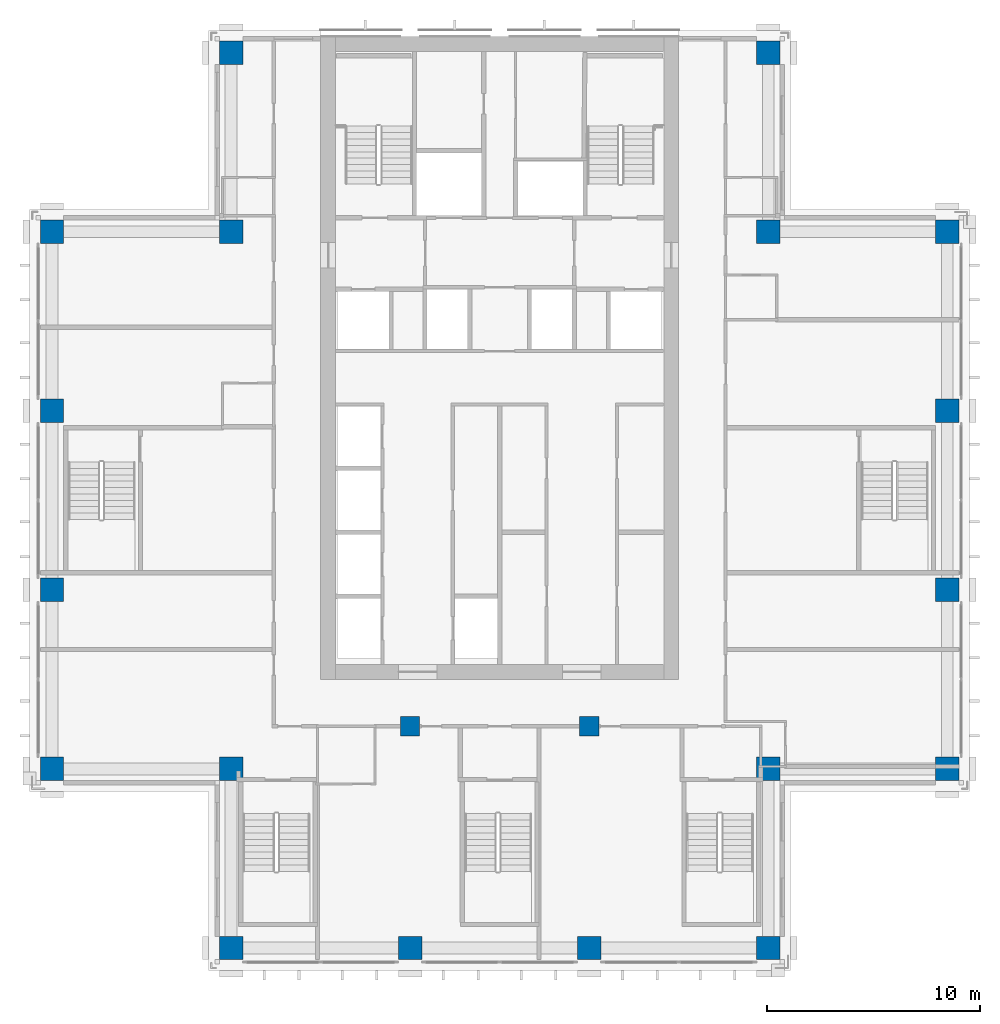
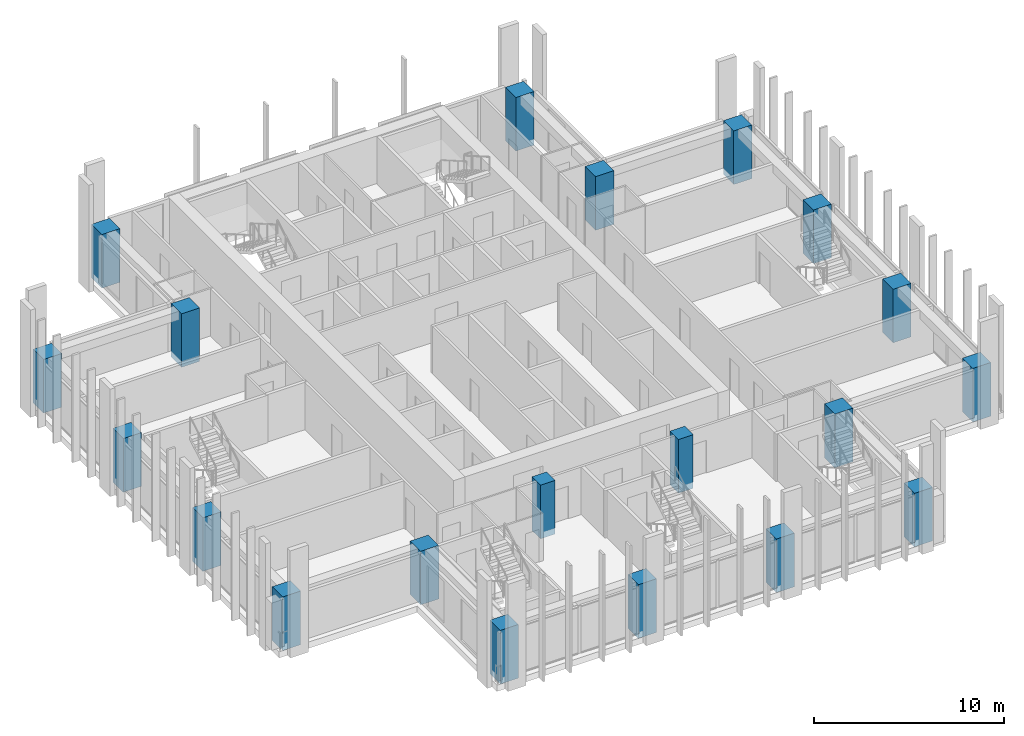
# One storey, part 1 of 16: 20 columns.
"""IFC4 building model written with IfcOpenShell, lengths in metres."""

from ifc_helpers import new_model, si_unit, direction, frame, origin, origin_2d, place, context, subcontext, project, spatial, rectangle, extrude, material, material_profile, profile_set, type_object, element, save


model = new_model("IFC4")

# Units and contexts
model_context = context("Model", 3, precision=1e-05, world=origin(), true_north=direction((0.0, 1.0)))
body_context = subcontext(model_context, "Body", "Model", "MODEL_VIEW")
ifc_project = project(units=[si_unit("LENGTHUNIT", "METRE"), si_unit("AREAUNIT", "SQUARE_METRE"), si_unit("VOLUMEUNIT", "CUBIC_METRE"), si_unit("PLANEANGLEUNIT", "RADIAN"), si_unit("MASSUNIT", "GRAM", prefix="KILO")], contexts=[model_context])

# Site, building, storey
site_placement = place(None, origin())
site = spatial("IfcSite", under=ifc_project, at=site_placement, CompositionType="ELEMENT")
building_placement = place(site_placement, origin())
building = spatial("IfcBuilding", under=site, at=building_placement, Name="Vermilion Ogive Tower", CompositionType="ELEMENT")
storey_placement = place(building_placement, frame((0.0, 0.0, 143.449951171875)))
storey = spatial("IfcBuildingStorey", under=building, at=storey_placement, Name="L36", CompositionType="ELEMENT", Elevation=143.449951171875)

# Columns
ifc_material_1 = material(Name="Concrete B60", Category="concrete")
ifc_material_profile_1 = material_profile(ifc_material_1, rectangle(XDim=1.10009765625, YDim=1.10009765625, at=origin_2d()), Name="1100 x 1100")
ifc_profile_set_1 = profile_set([ifc_material_profile_1], Name="Concrete B60")
column_type_1 = type_object("IfcColumnType", Name="Perimeter column 1100 x 1100 B60", PredefinedType="COLUMN", material=ifc_profile_set_1)
for number, where, z_axis, x_axis, name in (
    (1, (-12.60009765625, -21.0, -0.39990234375), (0.0, 0.0, 1.0), (1.0, 0.0, 0.0), "COL-L36-P-0126-210"),
    (2, (-4.199951171875, -21.0, -0.39990234375), (0.0, 0.0, 1.0), (1.0, 0.0, 0.0), "COL-L36-P-0042-210"),
    (3, (4.199951171875, -21.0, -0.39990234375), (0.0, 0.0, 1.0), (1.0, 0.0, 0.0), "COL-L36-P+0042-210"),
    (4, (12.60009765625, -21.0, -0.39990234375), (0.0, 0.0, 1.0), (1.0, 0.0, 0.0), "COL-L36-P+0126-210"),
    (5, (-21.0, -12.60009765625, -0.39990234375), (0.0, 0.0, 1.0), (1.0, 0.0, 0.0), "COL-L36-P-0210-126"),
    (6, (-12.60009765625, -12.60009765625, -0.39990234375), (0.0, 0.0, 1.0), (1.0, 0.0, 0.0), "COL-L36-P-0126-126"),
    (7, (12.60009765625, -12.60009765625, -0.39990234375), (0.0, 0.0, 1.0), (1.0, 0.0, 0.0), "COL-L36-P+0126-126"),
    (8, (21.0, -12.60009765625, -0.39990234375), (0.0, 0.0, 1.0), (1.0, 0.0, 0.0), "COL-L36-P+0210-126"),
    (9, (-21.0, -4.199951171875, -0.39990234375), (0.0, 0.0, 1.0), (1.0, 0.0, 0.0), "COL-L36-P-0210-042"),
    (10, (21.0, -4.199951171875, -0.39990234375), (0.0, 0.0, 1.0), (1.0, 0.0, 0.0), "COL-L36-P+0210-042"),
    (11, (-21.0, 4.199951171875, -0.39990234375), (0.0, 0.0, 1.0), (1.0, 0.0, 0.0), "COL-L36-P-0210+042"),
    (12, (21.0, 4.199951171875, -0.39990234375), (0.0, 0.0, 1.0), (1.0, 0.0, 0.0), "COL-L36-P+0210+042"),
    (13, (-21.0, 12.60009765625, -0.39990234375), (0.0, 0.0, 1.0), (1.0, 0.0, 0.0), "COL-L36-P-0210+126"),
    (14, (-12.60009765625, 12.60009765625, -0.39990234375), (0.0, 0.0, 1.0), (1.0, 0.0, 0.0), "COL-L36-P-0126+126"),
    (15, (12.60009765625, 12.60009765625, -0.39990234375), (0.0, 0.0, 1.0), (1.0, 0.0, 0.0), "COL-L36-P+0126+126"),
    (16, (21.0, 12.60009765625, -0.39990234375), (0.0, 0.0, 1.0), (1.0, 0.0, 0.0), "COL-L36-P+0210+126"),
    (17, (-12.60009765625, 21.0, -0.39990234375), (0.0, 0.0, 1.0), (1.0, 0.0, 0.0), "COL-L36-P-0126+210"),
    (18, (12.60009765625, 21.0, -0.39990234375), (0.0, 0.0, 1.0), (1.0, 0.0, 0.0), "COL-L36-P+0126+210"),
):
    element("IfcColumn", number, at=place(storey_placement, frame(where, z_axis=z_axis, x_axis=x_axis)), inside=storey, type_object=column_type_1, Name=name, PredefinedType="COLUMN", context=body_context, shape_type="SweptSolid", body=[
        extrude(rectangle(XDim=1.10009765625, YDim=1.10009765625, at=origin_2d()), origin(), (0.0, 0.0, 1.0), 3.449951171875),
    ])
ifc_material_2 = material(Name="Concrete B60", Category="concrete")
ifc_material_profile_2 = material_profile(ifc_material_2, rectangle(XDim=0.89990234375, YDim=0.89990234375, at=origin_2d()), Name="900 x 900")
ifc_profile_set_2 = profile_set([ifc_material_profile_2], Name="Concrete B60")
column_type_2 = type_object("IfcColumnType", Name="Ring column 900 x 900 B60", PredefinedType="COLUMN", material=ifc_profile_set_2)
for number, where, z_axis, x_axis, name in (
    (19, (-4.199951171875, -10.60009765625, -0.39990234375), (0.0, 0.0, 1.0), (1.0, 0.0, 0.0), "COL-L36-R-0042-106"),
    (20, (4.199951171875, -10.60009765625, -0.39990234375), (0.0, 0.0, 1.0), (1.0, 0.0, 0.0), "COL-L36-R+0042-106"),
):
    element("IfcColumn", number, at=place(storey_placement, frame(where, z_axis=z_axis, x_axis=x_axis)), inside=storey, type_object=column_type_2, Name=name, PredefinedType="COLUMN", context=body_context, shape_type="SweptSolid", body=[
        extrude(rectangle(XDim=0.89990234375, YDim=0.89990234375, at=origin_2d()), origin(), (0.0, 0.0, 1.0), 3.449951171875),
    ])

save(model, "model.ifc")
